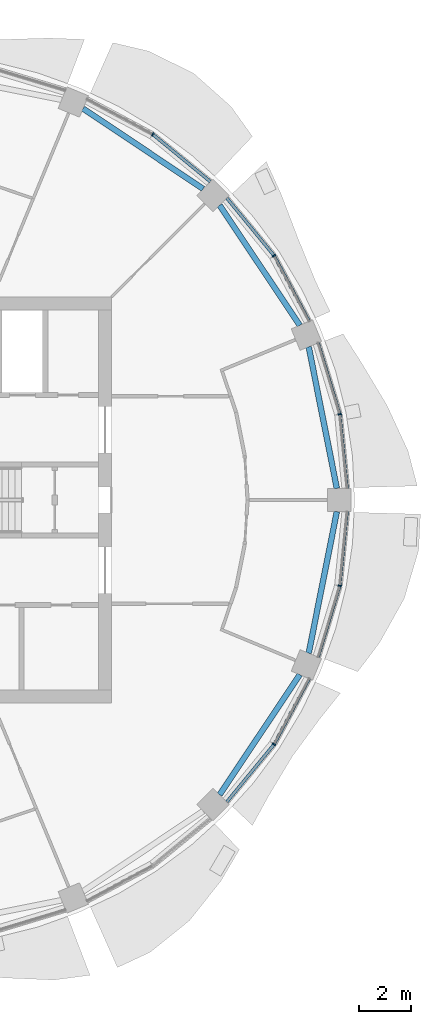
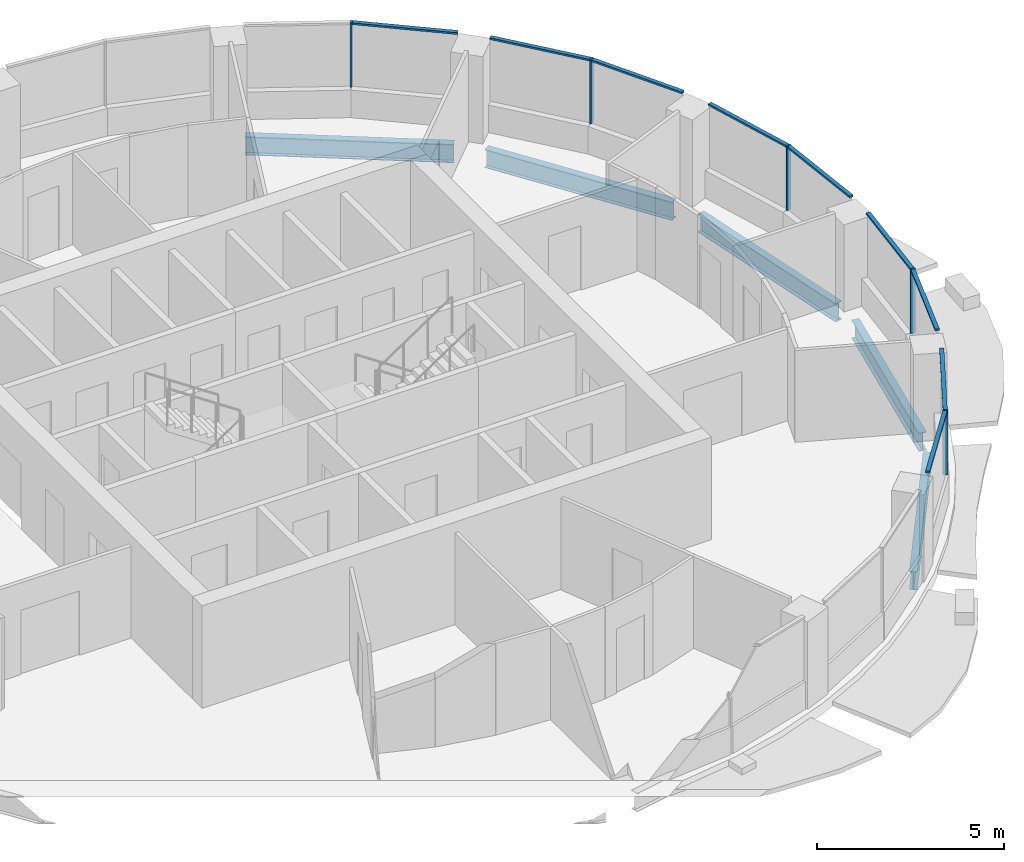
# One storey, part 5 of 15: 14 members, 5 beams, 5 elements without a shape of their own.
"""IFC4 building model written with IfcOpenShell, lengths in metres."""

from ifc_helpers import new_model, si_unit, direction, frame, origin, origin_2d, place, context, subcontext, project, spatial, rectangle, i_section, extrude, material, material_profile, profile_set, type_object, element, aggregate, save


model = new_model("IFC4")

# Units and contexts
model_context = context("Model", 3, precision=1e-05, world=origin(), true_north=direction((0.0, 1.0)))
body_context = subcontext(model_context, "Body", "Model", "MODEL_VIEW")
ifc_project = project(units=[si_unit("LENGTHUNIT", "METRE"), si_unit("AREAUNIT", "SQUARE_METRE"), si_unit("VOLUMEUNIT", "CUBIC_METRE"), si_unit("PLANEANGLEUNIT", "RADIAN"), si_unit("MASSUNIT", "GRAM", prefix="KILO")], contexts=[model_context])

# Site, building, storey
site_placement = place(None, origin())
site = spatial("IfcSite", under=ifc_project, at=site_placement, CompositionType="ELEMENT")
building_placement = place(site_placement, origin())
building = spatial("IfcBuilding", under=site, at=building_placement, Name="Polderwave Tower", CompositionType="ELEMENT")
storey_placement = place(building_placement, frame((0.0, 0.0, 201.050048828125)))
storey = spatial("IfcBuildingStorey", under=building, at=storey_placement, Name="L54", CompositionType="ELEMENT", Elevation=201.050048828125)

# Curtain wall, member
ifc_material_1 = material(Name="Aluminium 6063-T6 and glass", Category="aluminium")
curtain_wall_type = type_object("IfcCurtainWallType", Name="Office ribbon glazing wall", PredefinedType="NOTDEFINED", material=ifc_material_1)
curtain_wall_1_placement = place(storey_placement, origin())
curtain_wall_1 = element("IfcCurtainWall", 1, at=curtain_wall_1_placement, inside=storey, type_object=curtain_wall_type, Name="CW3 L54 00", PredefinedType="NOTDEFINED")
ifc_material_2 = material(Name="Aluminium 6063-T6", Category="aluminium")
ifc_material_profile_1 = material_profile(ifc_material_2, rectangle(XDim=0.139892578125, YDim=0.054931640625, at=origin_2d()), Name="AL 55x140")
ifc_profile_set_1 = profile_set([ifc_material_profile_1], Name="Aluminium 6063-T6")
member_type_1 = type_object("IfcMemberType", Name="Office ribbon glazing mullion 55x140", PredefinedType="MULLION", material=ifc_profile_set_1)
member_1_placement = place(storey_placement, frame((16.721923828125, 3.325927734375, 0.89990234375), z_axis=(0.0, 0.0, 1.0), x_axis=(-0.980762460409, -0.195205010829, 0.0)))
member_1 = element("IfcMember", 2, at=member_1_placement, type_object=member_type_1, Name="CW3 mullion 1", PredefinedType="MULLION", context=body_context, shape_type="SweptSolid", body=[
    extrude(rectangle(XDim=0.139892578125, YDim=0.054931640625, at=origin_2d()), origin(), (0.0, 0.0, 1.0), 2.10009765625),
])

curtain_wall_2_placement = place(storey_placement, origin())
curtain_wall_2 = element("IfcCurtainWall", 3, at=curtain_wall_2_placement, inside=storey, type_object=curtain_wall_type, Name="CW3 L54 01", PredefinedType="NOTDEFINED")
member_2_placement = place(storey_placement, frame((14.177001953125, 9.471923828125, 0.89990234375), z_axis=(0.0, 0.0, 1.0), x_axis=(-0.831480278332, -0.555554269847, 0.0)))
member_2 = element("IfcMember", 4, at=member_2_placement, type_object=member_type_1, Name="CW3 mullion 1", PredefinedType="MULLION", context=body_context, shape_type="SweptSolid", body=[
    extrude(rectangle(XDim=0.139892578125, YDim=0.054931640625, at=origin_2d()), origin(), (0.0, 0.0, 1.0), 2.10009765625),
])

curtain_wall_3_placement = place(storey_placement, origin())
curtain_wall_3 = element("IfcCurtainWall", 5, at=curtain_wall_3_placement, inside=storey, type_object=curtain_wall_type, Name="CW3 L54 02", PredefinedType="NOTDEFINED")
member_3_placement = place(storey_placement, frame((9.471923828125, 14.177001953125, 0.89990234375), z_axis=(0.0, 0.0, 1.0), x_axis=(-0.555554269847, -0.831480278332, 0.0)))
member_3 = element("IfcMember", 6, at=member_3_placement, type_object=member_type_1, Name="CW3 mullion 1", PredefinedType="MULLION", context=body_context, shape_type="SweptSolid", body=[
    extrude(rectangle(XDim=0.139892578125, YDim=0.054931640625, at=origin_2d()), origin(), (0.0, 0.0, 1.0), 2.10009765625),
])

curtain_wall_4_placement = place(storey_placement, origin())
curtain_wall_4 = element("IfcCurtainWall", 7, at=curtain_wall_4_placement, inside=storey, type_object=curtain_wall_type, Name="CW3 L54 14", PredefinedType="NOTDEFINED")
member_4_placement = place(storey_placement, frame((14.177001953125, -9.471923828125, 0.89990234375), z_axis=(0.0, 0.0, 1.0), x_axis=(-0.831480278332, 0.555554269847, 0.0)))
member_4 = element("IfcMember", 8, at=member_4_placement, type_object=member_type_1, Name="CW3 mullion 1", PredefinedType="MULLION", context=body_context, shape_type="SweptSolid", body=[
    extrude(rectangle(XDim=0.139892578125, YDim=0.054931640625, at=origin_2d()), origin(), (0.0, 0.0, 1.0), 2.10009765625),
])

curtain_wall_5_placement = place(storey_placement, origin())
curtain_wall_5 = element("IfcCurtainWall", 9, at=curtain_wall_5_placement, inside=storey, type_object=curtain_wall_type, Name="CW3 L54 15", PredefinedType="NOTDEFINED")
member_5_placement = place(storey_placement, frame((16.721923828125, -3.325927734375, 0.89990234375), z_axis=(0.0, 0.0, 1.0), x_axis=(-0.980762460409, 0.195205010829, 0.0)))
member_5 = element("IfcMember", 10, at=member_5_placement, type_object=member_type_1, Name="CW3 mullion 1", PredefinedType="MULLION", context=body_context, shape_type="SweptSolid", body=[
    extrude(rectangle(XDim=0.139892578125, YDim=0.054931640625, at=origin_2d()), origin(), (0.0, 0.0, 1.0), 2.10009765625),
])

# Member
ifc_material_profile_2 = material_profile(ifc_material_2, rectangle(XDim=0.1201171875, YDim=0.06005859375, at=origin_2d()), Name="AL 60x120")
ifc_profile_set_2 = profile_set([ifc_material_profile_2], Name="Aluminium 6063-T6")
member_type_2 = type_object("IfcMemberType", Name="Office ribbon glazing transom 60x120", PredefinedType="USERDEFINED", material=ifc_profile_set_2)
member_6_placement = place(storey_placement, frame((17.006103515625, 0.449951171875, 2.969970703125), z_axis=(-0.098338314772, 0.99515304142, 0.0), x_axis=(-0.99515304142, -0.098338314772, 0.0)))
member_6 = element("IfcMember", 11, at=member_6_placement, type_object=member_type_2, Name="CW3 transom 1", ObjectType="TRANSOM", PredefinedType="USERDEFINED", context=body_context, shape_type="SweptSolid", body=[
    extrude(rectangle(XDim=0.1201171875, YDim=0.06005859375, at=origin_2d()), origin(), (0.0, 0.0, 1.0), 2.862548828125),
])

member_7_placement = place(storey_placement, frame((16.714111328125, 3.352294921875, 2.969970703125), z_axis=(-0.290272457704, 0.956944042407, 0.0), x_axis=(-0.956944042407, -0.290272457704, 0.0)))
member_7 = element("IfcMember", 12, at=member_7_placement, type_object=member_type_2, Name="CW3 transom 2", ObjectType="TRANSOM", PredefinedType="USERDEFINED", context=body_context, shape_type="SweptSolid", body=[
    extrude(rectangle(XDim=0.1201171875, YDim=0.06005859375, at=origin_2d()), origin(), (0.0, 0.0, 1.0), 2.863037109375),
])

aggregate(curtain_wall_1, [member_1, member_6, member_7])

member_8_placement = place(storey_placement, frame((15.5390625, 6.924072265625, 2.969970703125), z_axis=(-0.471447059803, 0.881894364311, 0.0), x_axis=(-0.881894364311, -0.471447059803, 0.0)))
member_8 = element("IfcMember", 13, at=member_8_placement, type_object=member_type_2, Name="CW3 transom 1", ObjectType="TRANSOM", PredefinedType="USERDEFINED", context=body_context, shape_type="SweptSolid", body=[
    extrude(rectangle(XDim=0.1201171875, YDim=0.06005859375, at=origin_2d()), origin(), (0.0, 0.0, 1.0), 2.861572265625),
])

member_9_placement = place(storey_placement, frame((14.15966796875, 9.493408203125, 2.969970703125), z_axis=(-0.634388465012, 0.773014408313, 0.0), x_axis=(-0.773014408313, -0.634388465012, 0.0)))
member_9 = element("IfcMember", 14, at=member_9_placement, type_object=member_type_2, Name="CW3 transom 2", ObjectType="TRANSOM", PredefinedType="USERDEFINED", context=body_context, shape_type="SweptSolid", body=[
    extrude(rectangle(XDim=0.1201171875, YDim=0.06005859375, at=origin_2d()), origin(), (0.0, 0.0, 1.0), 2.863525390625),
])

aggregate(curtain_wall_2, [member_2, member_8, member_9])

member_10_placement = place(storey_placement, frame((11.70703125, 12.343017578125, 2.969970703125), z_axis=(-0.773014408313, 0.634388465012, 0.0), x_axis=(-0.634388465012, -0.773014408313, 0.0)))
member_10 = element("IfcMember", 15, at=member_10_placement, type_object=member_type_2, Name="CW3 transom 1", ObjectType="TRANSOM", PredefinedType="USERDEFINED", context=body_context, shape_type="SweptSolid", body=[
    extrude(rectangle(XDim=0.1201171875, YDim=0.06005859375, at=origin_2d()), origin(), (0.0, 0.0, 1.0), 2.863525390625),
])

aggregate(curtain_wall_3, [member_3, member_10])

member_11_placement = place(storey_placement, frame((12.343017578125, -11.70703125, 2.969970703125), z_axis=(0.634388465012, 0.773014408313, 0.0), x_axis=(-0.773014408313, 0.634388465012, 0.0)))
member_11 = element("IfcMember", 16, at=member_11_placement, type_object=member_type_2, Name="CW3 transom 1", ObjectType="TRANSOM", PredefinedType="USERDEFINED", context=body_context, shape_type="SweptSolid", body=[
    extrude(rectangle(XDim=0.1201171875, YDim=0.06005859375, at=origin_2d()), origin(), (0.0, 0.0, 1.0), 2.863525390625),
])

member_12_placement = place(storey_placement, frame((14.18994140625, -9.44775390625, 2.969970703125), z_axis=(0.471447059803, 0.881894364311, 0.0), x_axis=(-0.881894364311, 0.471447059803, 0.0)))
member_12 = element("IfcMember", 17, at=member_12_placement, type_object=member_type_2, Name="CW3 transom 2", ObjectType="TRANSOM", PredefinedType="USERDEFINED", context=body_context, shape_type="SweptSolid", body=[
    extrude(rectangle(XDim=0.1201171875, YDim=0.06005859375, at=origin_2d()), origin(), (0.0, 0.0, 1.0), 2.861572265625),
])

aggregate(curtain_wall_4, [member_4, member_11, member_12])

member_13_placement = place(storey_placement, frame((15.883056640625, -6.092041015625, 2.969970703125), z_axis=(0.290272457704, 0.956944042407, 0.0), x_axis=(-0.956944042407, 0.290272457704, 0.0)))
member_13 = element("IfcMember", 18, at=member_13_placement, type_object=member_type_2, Name="CW3 transom 1", ObjectType="TRANSOM", PredefinedType="USERDEFINED", context=body_context, shape_type="SweptSolid", body=[
    extrude(rectangle(XDim=0.1201171875, YDim=0.06005859375, at=origin_2d()), origin(), (0.0, 0.0, 1.0), 2.863037109375),
])

member_14_placement = place(storey_placement, frame((16.724609375, -3.298583984375, 2.969970703125), z_axis=(0.098338314772, 0.99515304142, 0.0), x_axis=(-0.99515304142, 0.098338314772, 0.0)))
member_14 = element("IfcMember", 19, at=member_14_placement, type_object=member_type_2, Name="CW3 transom 2", ObjectType="TRANSOM", PredefinedType="USERDEFINED", context=body_context, shape_type="SweptSolid", body=[
    extrude(rectangle(XDim=0.1201171875, YDim=0.06005859375, at=origin_2d()), origin(), (0.0, 0.0, 1.0), 2.862548828125),
])

aggregate(curtain_wall_5, [member_5, member_13, member_14])

# Beams
ifc_material_3 = material(Name="Steel S355", Category="steel")
ifc_material_profile_3 = material_profile(ifc_material_3, i_section(OverallWidth=0.219970703125, OverallDepth=0.60009765625, WebThickness=0.011962890625, FlangeThickness=0.01904296875, at=origin_2d()), Name="IPE 600")
ifc_profile_set_3 = profile_set([ifc_material_profile_3], Name="Steel S355")
beam_type = type_object("IfcBeamType", Name="RING BEAM IPE 600", PredefinedType="BEAM", material=ifc_profile_set_3)
for number, where, z_axis, x_axis, name in (
    (20, (16.610595703125, 0.449951171875, -0.650146484375), (-0.195101310105, 0.980783094673, 0.0), (-0.980783094673, -0.195101310105, 0.0), "ST-RB-L54-00"),
    (21, (15.173828125, 6.772216796875, -0.650146484375), (-0.555565346345, 0.831472877453, 0.0), (-0.831472877453, -0.555565346345, 0.0), "ST-RB-L54-01"),
    (22, (11.42724609375, 12.0634765625, -0.650146484375), (-0.831472877453, 0.555565346345, 0.0), (-0.555565346345, -0.831472877453, 0.0), "ST-RB-L54-02"),
    (23, (12.0634765625, -11.42724609375, -0.650146484375), (0.555565346345, 0.831472877453, 0.0), (-0.831472877453, 0.555565346345, 0.0), "ST-RB-L54-14"),
    (24, (15.518310546875, -5.94091796875, -0.650146484375), (0.195101310105, 0.980783094673, 0.0), (-0.980783094673, 0.195101310105, 0.0), "ST-RB-L54-15"),
):
    element("IfcBeam", number, at=place(storey_placement, frame(where, z_axis=z_axis, x_axis=x_axis)), inside=storey, type_object=beam_type, Name=name, PredefinedType="BEAM", context=body_context, shape_type="SweptSolid", body=[
        extrude(i_section(OverallWidth=0.219970703125, OverallDepth=0.60009765625, WebThickness=0.011962890625, FlangeThickness=0.01904296875, at=origin_2d()), origin(), (0.0, 0.0, 1.0), 5.5986328125),
    ])

save(model, "model.ifc")
